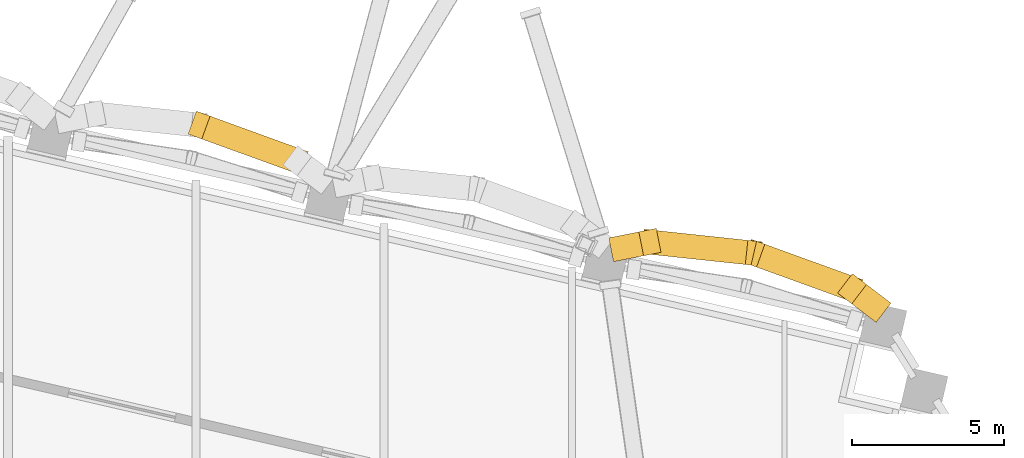
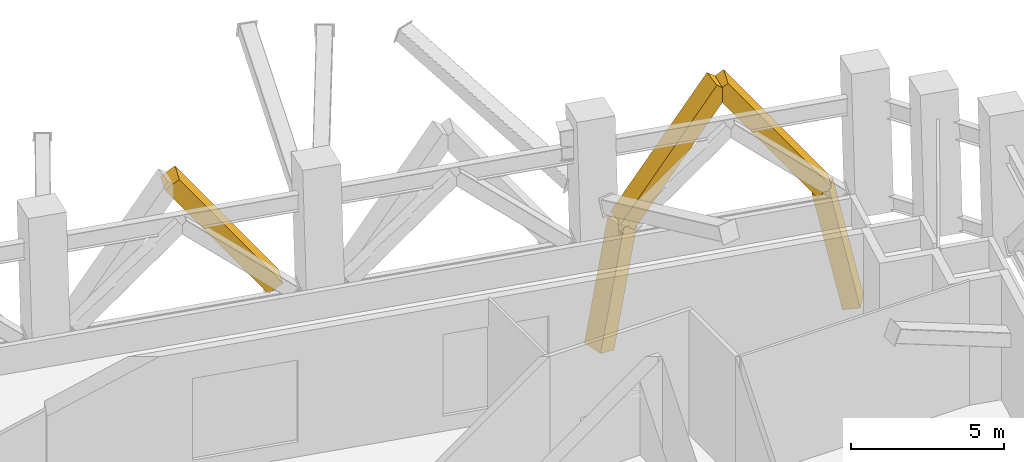
# One storey, part 20 of 20: 5 coverings.
"""IFC4 building model written with IfcOpenShell, lengths in metres."""

from ifc_helpers import new_model, si_unit, direction, frame, origin, origin_2d, place, context, subcontext, project, spatial, rectangle, extrude, material, material_profile, profile_set, type_object, element, save


model = new_model("IFC4")

# Units and contexts
model_context = context("Model", 3, precision=1e-05, world=origin(), true_north=direction((0.0, 1.0)))
body_context = subcontext(model_context, "Body", "Model", "MODEL_VIEW")
ifc_project = project(units=[si_unit("LENGTHUNIT", "METRE"), si_unit("AREAUNIT", "SQUARE_METRE"), si_unit("VOLUMEUNIT", "CUBIC_METRE"), si_unit("PLANEANGLEUNIT", "RADIAN"), si_unit("MASSUNIT", "GRAM", prefix="KILO")], contexts=[model_context])

# Site, building, storey
site_placement = place(None, origin())
site = spatial("IfcSite", under=ifc_project, at=site_placement, CompositionType="ELEMENT")
building_placement = place(site_placement, origin())
building = spatial("IfcBuilding", under=site, at=building_placement, Name="Ogive Exchange Tower", CompositionType="ELEMENT")
storey_placement = place(building_placement, frame((0.0, 0.0, 160.199951171875)))
storey = spatial("IfcBuildingStorey", under=building, at=storey_placement, Name="L35", CompositionType="ELEMENT", Elevation=160.199951171875)

# Coverings
ifc_material = material(Name="Precast concrete C50/60", Category="concrete")
ifc_material_profile = material_profile(ifc_material, rectangle(XDim=0.800048828125, YDim=0.60009765625, at=origin_2d()), Name="RIB 800 x 600")
ifc_profile_set = profile_set([ifc_material_profile], Name="Precast concrete C50/60")
covering_type = type_object("IfcCoveringType", Name="Precast tracery rib 800 x 600 C50/60", PredefinedType="CLADDING", material=ifc_profile_set)
covering_1_placement = place(storey_placement, frame((35.325927734375, 36.3759765625, -4.199951171875), z_axis=(-0.171889043836, 0.130920670694, 0.976377967077), x_axis=(-0.605919018694, -0.795526330667, 0.0)))
element("IfcCovering", 1, at=covering_1_placement, inside=storey, type_object=covering_type, Name="Tracery rib 18a", PredefinedType="CLADDING", context=body_context, shape_type="SweptSolid", body=[
    extrude(rectangle(XDim=0.800048828125, YDim=0.60009765625, at=origin_2d()), origin(), (0.0, 0.0, 1.0), 4.66015625),
])
covering_2_placement = place(storey_placement, frame((34.52490234375, 36.986083984375, 0.35009765625), z_axis=(-0.566179112731, 0.205104455758, 0.798356671254), x_axis=(-0.340600476312, -0.940208123521, 0.0)))
element("IfcCovering", 2, at=covering_2_placement, inside=storey, type_object=covering_type, Name="Tracery rib 18a", PredefinedType="CLADDING", context=body_context, shape_type="SweptSolid", body=[
    extrude(rectangle(XDim=0.800048828125, YDim=0.60009765625, at=origin_2d()), origin(), (0.0, 0.0, 1.0), 5.69921875),
])
covering_3_placement = place(storey_placement, frame((26.89794921875, 38.322021484375, -4.199951171875), z_axis=(0.211813371773, 0.042278850116, 0.976395203988), x_axis=(-0.195742957355, 0.980655237403, 0.0)))
element("IfcCovering", 3, at=covering_3_placement, inside=storey, type_object=covering_type, Name="Tracery rib 18b", PredefinedType="CLADDING", context=body_context, shape_type="SweptSolid", body=[
    extrude(rectangle(XDim=0.800048828125, YDim=0.60009765625, at=origin_2d()), origin(), (0.0, 0.0, 1.0), 4.66015625),
])
covering_4_placement = place(storey_placement, frame((27.885009765625, 38.51904296875, 0.35009765625), z_axis=(0.598836719017, -0.063867349646, 0.798320452955), x_axis=(0.10605091594, 0.994360700766, 0.0)))
element("IfcCovering", 4, at=covering_4_placement, inside=storey, type_object=covering_type, Name="Tracery rib 18b", PredefinedType="CLADDING", context=body_context, shape_type="SweptSolid", body=[
    extrude(rectangle(XDim=0.800048828125, YDim=0.60009765625, at=origin_2d()), origin(), (0.0, 0.0, 1.0), 5.699462890625),
])
covering_5_placement = place(storey_placement, frame((16.303955078125, 41.19189453125, 0.35009765625), z_axis=(-0.566183333078, 0.205304638784, 0.798302222619), x_axis=(-0.340892043984, -0.940102448858, 0.0)))
element("IfcCovering", 5, at=covering_5_placement, inside=storey, type_object=covering_type, Name="Tracery rib 20a", PredefinedType="CLADDING", context=body_context, shape_type="SweptSolid", body=[
    extrude(rectangle(XDim=0.800048828125, YDim=0.60009765625, at=origin_2d()), origin(), (0.0, 0.0, 1.0), 5.69970703125),
])

save(model, "model.ifc")
